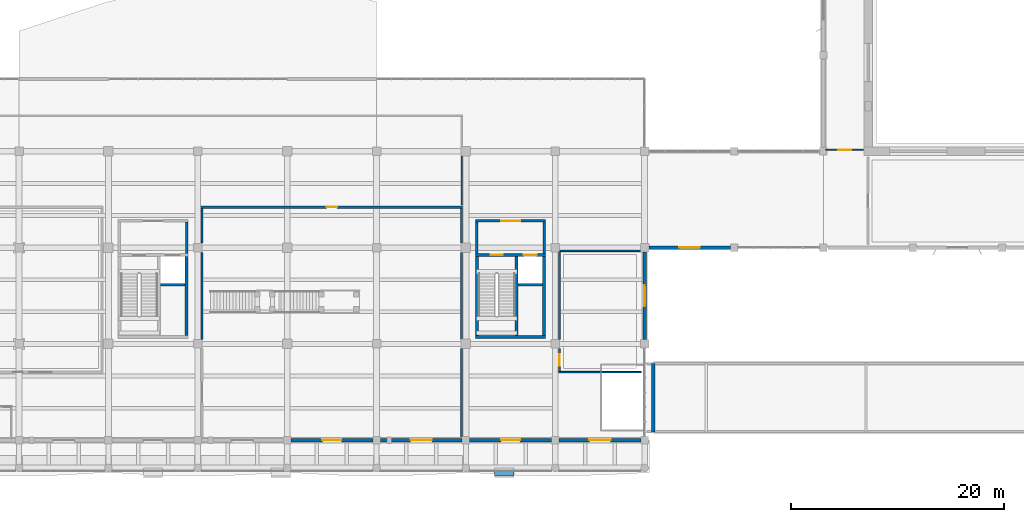
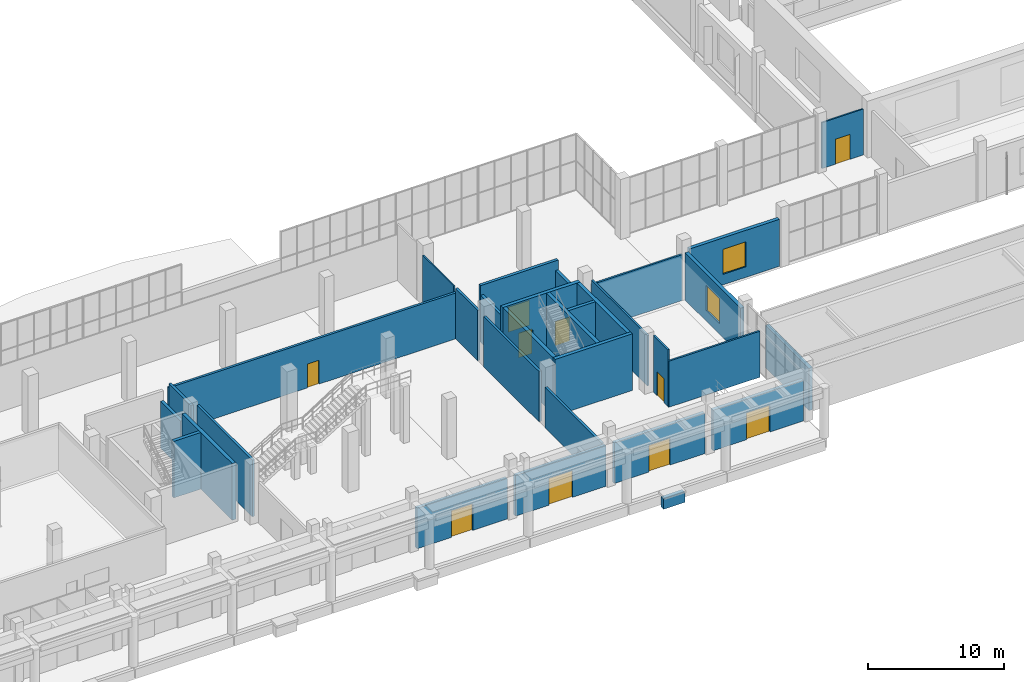
# One storey, part 78 of 91: 32 walls, 10 doors, 2 windows, 12 openings.
"""IFC4 building model written with IfcOpenShell, lengths in metres."""

from ifc_helpers import new_model, si_unit, direction, frame, frame_2d, origin, place, context, subcontext, project, spatial, rectangle, extrude, material, layer, layer_set, type_object, element, fill, save


model = new_model("IFC4")

# Units and contexts
model_context = context("Model", 3, precision=1e-05, world=origin(), true_north=direction((0.0, 1.0)))
body_context = subcontext(model_context, "Body", "Model", "MODEL_VIEW")
ifc_project = project(units=[si_unit("LENGTHUNIT", "METRE"), si_unit("AREAUNIT", "SQUARE_METRE"), si_unit("VOLUMEUNIT", "CUBIC_METRE"), si_unit("PLANEANGLEUNIT", "RADIAN"), si_unit("MASSUNIT", "GRAM", prefix="KILO")], contexts=[model_context])

# Site, building, storey
site_placement = place(None, origin())
site = spatial("IfcSite", under=ifc_project, at=site_placement, CompositionType="ELEMENT")
building_placement = place(site_placement, origin())
building = spatial("IfcBuilding", under=site, at=building_placement, Name="Khurvash Pelagic Aquarium", CompositionType="ELEMENT")
storey_placement = place(building_placement, origin())
storey = spatial("IfcBuildingStorey", under=building, at=storey_placement, Name="L00", CompositionType="ELEMENT", Elevation=0.0)

# Wall, opening, door
ifc_material_1 = material(Name="Precast concrete C40/50", Category="concrete")
ifc_layer_1 = layer(ifc_material_1, 0.300048828125)
ifc_layer_set_1 = layer_set([ifc_layer_1], Name="Precast concrete C40/50")
wall_type_1 = type_object("IfcWallType", Name="EW-300", PredefinedType="STANDARD", material=ifc_layer_set_1)
wall_1_placement = place(storey_placement, frame((75.955078125, 2.60009765625, 0.0), z_axis=(0.0, 0.0, 1.0), x_axis=(1.0, 0.0, 0.0)))
wall_1 = element("IfcWall", 1, at=wall_1_placement, inside=storey, type_object=wall_type_1, Name="L00 Exterior Architectural Facade Wall EW-300 0010", PredefinedType="STANDARD", context=body_context, shape_type="SweptSolid", body=[
    extrude(rectangle(XDim=7.68994140625, YDim=0.300048828125, at=frame_2d((3.844970703125, 0.0))), origin(), (0.0, 0.0, 1.0), 3.64990234375),
])
opening_1_placement = place(wall_1_placement, frame((2.945068359375, 0.0, 0.0)))
opening_1 = element("IfcOpeningElement", 2, at=opening_1_placement, cuts=wall_1, Name="Opening ED-01", PredefinedType="OPENING", context=body_context, shape_type="SweptSolid", body=[
    extrude(rectangle(XDim=1.800048828125, YDim=2.39990234375, at=frame_2d((0.89990234375, 1.199951171875))), frame((0.0, 0.16015625, 0.0), z_axis=(0.0, -1.0, 0.0), x_axis=(1.0, 0.0, 0.0)), (0.0, 0.0, 1.0), 0.320068359375),
])
ifc_material_2 = material(Name="Thermally broken glazed aluminium", Category="aluminium")
door_type_1 = type_object("IfcDoorType", Name="ED-01", OperationType="DOUBLE_DOOR_SINGLE_SWING", PredefinedType="DOOR", material=ifc_material_2)
door_1_placement = place(opening_1_placement, frame((1.800048828125, 0.0, 0.0), z_axis=(0.0, 0.0, 1.0), x_axis=(-1.0, 0.0, 0.0)))
door_1 = element("IfcDoor", 3, at=door_1_placement, inside=storey, type_object=door_type_1, Name="DR-0050", OperationType="DOUBLE_DOOR_SINGLE_SWING", OverallHeight=2.39990234375, OverallWidth=1.800048828125, PredefinedType="DOOR", context=body_context, shape_type="SweptSolid", body=[
    extrude(rectangle(XDim=1.800048828125, YDim=2.39990234375, at=frame_2d((0.89990234375, 1.199951171875))), frame((0.0, 0.02490234375, 0.0), z_axis=(0.0, -1.0, 0.0), x_axis=(1.0, 0.0, 0.0)), (0.0, 0.0, 1.0), 0.050048828125),
])
fill(opening_1, door_1)

wall_2_placement = place(storey_placement, frame((84.35498046875, 2.60009765625, 0.0), z_axis=(0.0, 0.0, 1.0), x_axis=(1.0, 0.0, 0.0)))
wall_2 = element("IfcWall", 4, at=wall_2_placement, inside=storey, type_object=wall_type_1, Name="L00 Exterior Architectural Facade Wall EW-300 0011", PredefinedType="STANDARD", context=body_context, shape_type="SweptSolid", body=[
    extrude(rectangle(XDim=7.68994140625, YDim=0.300048828125, at=frame_2d((3.844970703125, 0.0))), origin(), (0.0, 0.0, 1.0), 3.64990234375),
])
opening_2_placement = place(wall_2_placement, frame((2.844970703125, 0.0, 0.0)))
opening_2 = element("IfcOpeningElement", 5, at=opening_2_placement, cuts=wall_2, Name="Opening ED-02", PredefinedType="OPENING", context=body_context, shape_type="SweptSolid", body=[
    extrude(rectangle(XDim=2.0, YDim=2.39990234375, at=frame_2d((1.0, 1.199951171875))), frame((0.0, 0.16015625, 0.0), z_axis=(0.0, -1.0, 0.0), x_axis=(1.0, 0.0, 0.0)), (0.0, 0.0, 1.0), 0.320068359375),
])
door_type_2 = type_object("IfcDoorType", Name="ED-02", OperationType="DOUBLE_DOOR_SINGLE_SWING", PredefinedType="DOOR", material=ifc_material_2)
door_2_placement = place(opening_2_placement, frame((2.0, 0.0, 0.0), z_axis=(0.0, 0.0, 1.0), x_axis=(-1.0, 0.0, 0.0)))
door_2 = element("IfcDoor", 6, at=door_2_placement, inside=storey, type_object=door_type_2, Name="DR-0051", OperationType="DOUBLE_DOOR_SINGLE_SWING", OverallHeight=2.39990234375, OverallWidth=2.0, PredefinedType="DOOR", context=body_context, shape_type="SweptSolid", body=[
    extrude(rectangle(XDim=2.0, YDim=2.39990234375, at=frame_2d((1.0, 1.199951171875))), frame((0.0, 0.02490234375, 0.0), z_axis=(0.0, -1.0, 0.0), x_axis=(1.0, 0.0, 0.0)), (0.0, 0.0, 1.0), 0.050048828125),
])
fill(opening_2, door_2)

wall_3_placement = place(storey_placement, frame((92.7548828125, 2.60009765625, 0.0), z_axis=(0.0, 0.0, 1.0), x_axis=(1.0, 0.0, 0.0)))
wall_3 = element("IfcWall", 7, at=wall_3_placement, inside=storey, type_object=wall_type_1, Name="L00 Exterior Architectural Facade Wall EW-300 0012", PredefinedType="STANDARD", context=body_context, shape_type="SweptSolid", body=[
    extrude(rectangle(XDim=7.690185546875, YDim=0.300048828125, at=frame_2d((3.84521484375, 0.0))), origin(), (0.0, 0.0, 1.0), 3.64990234375),
])
opening_3_placement = place(wall_3_placement, frame((2.945068359375, 0.0, 0.0)))
opening_3 = element("IfcOpeningElement", 8, at=opening_3_placement, cuts=wall_3, Name="Opening ED-01", PredefinedType="OPENING", context=body_context, shape_type="SweptSolid", body=[
    extrude(rectangle(XDim=1.800048828125, YDim=2.39990234375, at=frame_2d((0.89990234375, 1.199951171875))), frame((0.0, 0.16015625, 0.0), z_axis=(0.0, -1.0, 0.0), x_axis=(1.0, 0.0, 0.0)), (0.0, 0.0, 1.0), 0.320068359375),
])
door_3_placement = place(opening_3_placement, frame((1.800048828125, 0.0, 0.0), z_axis=(0.0, 0.0, 1.0), x_axis=(-1.0, 0.0, 0.0)))
door_3 = element("IfcDoor", 9, at=door_3_placement, inside=storey, type_object=door_type_1, Name="DR-0052", OperationType="DOUBLE_DOOR_SINGLE_SWING", OverallHeight=2.39990234375, OverallWidth=1.800048828125, PredefinedType="DOOR", context=body_context, shape_type="SweptSolid", body=[
    extrude(rectangle(XDim=1.800048828125, YDim=2.39990234375, at=frame_2d((0.89990234375, 1.199951171875))), frame((0.0, 0.02490234375, 0.0), z_axis=(0.0, -1.0, 0.0), x_axis=(1.0, 0.0, 0.0)), (0.0, 0.0, 1.0), 0.050048828125),
])
fill(opening_3, door_3)

wall_4_placement = place(storey_placement, frame((101.155029296875, 2.60009765625, 0.0), z_axis=(0.0, 0.0, 1.0), x_axis=(1.0, 0.0, 0.0)))
wall_4 = element("IfcWall", 10, at=wall_4_placement, inside=storey, type_object=wall_type_1, Name="L00 Exterior Architectural Facade Wall EW-300 0013", PredefinedType="STANDARD", context=body_context, shape_type="SweptSolid", body=[
    extrude(rectangle(XDim=7.68994140625, YDim=0.300048828125, at=frame_2d((3.844970703125, 0.0))), origin(), (0.0, 0.0, 1.0), 3.64990234375),
])
opening_4_placement = place(wall_4_placement, frame((2.844970703125, 0.0, 0.0)))
opening_4 = element("IfcOpeningElement", 11, at=opening_4_placement, cuts=wall_4, Name="Opening ED-02", PredefinedType="OPENING", context=body_context, shape_type="SweptSolid", body=[
    extrude(rectangle(XDim=2.0, YDim=2.39990234375, at=frame_2d((1.0, 1.199951171875))), frame((0.0, 0.16015625, 0.0), z_axis=(0.0, -1.0, 0.0), x_axis=(1.0, 0.0, 0.0)), (0.0, 0.0, 1.0), 0.320068359375),
])
door_4_placement = place(opening_4_placement, frame((2.0, 0.0, 0.0), z_axis=(0.0, 0.0, 1.0), x_axis=(-1.0, 0.0, 0.0)))
door_4 = element("IfcDoor", 12, at=door_4_placement, inside=storey, type_object=door_type_2, Name="DR-0053", OperationType="DOUBLE_DOOR_SINGLE_SWING", OverallHeight=2.39990234375, OverallWidth=2.0, PredefinedType="DOOR", context=body_context, shape_type="SweptSolid", body=[
    extrude(rectangle(XDim=2.0, YDim=2.39990234375, at=frame_2d((1.0, 1.199951171875))), frame((0.0, 0.02490234375, 0.0), z_axis=(0.0, -1.0, 0.0), x_axis=(1.0, 0.0, 0.0)), (0.0, 0.0, 1.0), 0.050048828125),
])
fill(opening_4, door_4)

# Wall, opening, window
wall_5_placement = place(storey_placement, frame((109.199951171875, 12.054931640625, 0.0), z_axis=(0.0, 0.0, 1.0), x_axis=(0.0, 1.0, 0.0)))
wall_5 = element("IfcWall", 13, at=wall_5_placement, inside=storey, type_object=wall_type_1, Name="L00 Exterior Architectural Facade Wall EW-300 0014", PredefinedType="STANDARD", context=body_context, shape_type="SweptSolid", body=[
    extrude(rectangle(XDim=8.239990234375, YDim=0.300048828125, at=frame_2d((4.1201171875, 0.0))), origin(), (0.0, 0.0, 1.0), 4.239990234375),
])
opening_5_placement = place(wall_5_placement, frame((3.14501953125, 0.0, 0.949951171875)))
opening_5 = element("IfcOpeningElement", 14, at=opening_5_placement, cuts=wall_5, Name="Opening WN-16", PredefinedType="OPENING", context=body_context, shape_type="SweptSolid", body=[
    extrude(rectangle(XDim=1.949951171875, YDim=2.25, at=frame_2d((0.97509765625, 1.125))), frame((0.0, 0.16015625, 0.0), z_axis=(0.0, -1.0, 0.0), x_axis=(1.0, 0.0, 0.0)), (0.0, 0.0, 1.0), 0.320068359375),
])
ifc_material_3 = material(Name="Thermally broken aluminium and low-E glass", Category="aluminium")
window_type = type_object("IfcWindowType", Name="WN-16", PartitioningType="SINGLE_PANEL", PredefinedType="WINDOW", material=ifc_material_3)
window_1_placement = place(opening_5_placement, origin())
window_1 = element("IfcWindow", 15, at=window_1_placement, inside=storey, type_object=window_type, Name="L00 Facade Window WN-16 0002", OverallHeight=2.25, OverallWidth=1.949951171875, PartitioningType="SINGLE_PANEL", PredefinedType="WINDOW", context=body_context, shape_type="SweptSolid", body=[
    extrude(rectangle(XDim=1.949951171875, YDim=2.25, at=frame_2d((0.97509765625, 1.125))), frame((0.0, 0.030029296875, 0.0), z_axis=(0.0, -1.0, 0.0), x_axis=(1.0, 0.0, 0.0)), (0.0, 0.0, 1.0), 0.06005859375),
])
fill(opening_5, window_1)

wall_6_placement = place(storey_placement, frame((109.60498046875, 20.699951171875, 0.0), z_axis=(0.0, 0.0, 1.0), x_axis=(1.0, 0.0, 0.0)))
wall_6 = element("IfcWall", 16, at=wall_6_placement, inside=storey, type_object=wall_type_1, Name="L00 Exterior Architectural Facade Wall EW-300 0015", PredefinedType="STANDARD", context=body_context, shape_type="SweptSolid", body=[
    extrude(rectangle(XDim=7.64013671875, YDim=0.300048828125, at=frame_2d((3.820068359375, 0.0))), origin(), (0.0, 0.0, 1.0), 4.22998046875),
])
opening_6_placement = place(wall_6_placement, frame((2.844970703125, 0.0, 0.949951171875)))
opening_6 = element("IfcOpeningElement", 17, at=opening_6_placement, cuts=wall_6, Name="Opening WN-16", PredefinedType="OPENING", context=body_context, shape_type="SweptSolid", body=[
    extrude(rectangle(XDim=1.949951171875, YDim=2.25, at=frame_2d((0.97509765625, 1.125))), frame((0.0, 0.16015625, 0.0), z_axis=(0.0, -1.0, 0.0), x_axis=(1.0, 0.0, 0.0)), (0.0, 0.0, 1.0), 0.320068359375),
])
window_2_placement = place(opening_6_placement, origin())
window_2 = element("IfcWindow", 18, at=window_2_placement, inside=storey, type_object=window_type, Name="L00 Facade Window WN-16 0003", OverallHeight=2.25, OverallWidth=1.949951171875, PartitioningType="SINGLE_PANEL", PredefinedType="WINDOW", context=body_context, shape_type="SweptSolid", body=[
    extrude(rectangle(XDim=1.949951171875, YDim=2.25, at=frame_2d((0.97509765625, 1.125))), frame((0.0, 0.030029296875, 0.0), z_axis=(0.0, -1.0, 0.0), x_axis=(1.0, 0.0, 0.0)), (0.0, 0.0, 1.0), 0.06005859375),
])
fill(opening_6, window_2)

# Wall
ifc_material_4 = material(Name="Ceramic-tiled wet-room partition", Category="masonry")
ifc_layer_2 = layer(ifc_material_4, 0.110107421875)
ifc_layer_set_2 = layer_set([ifc_layer_2], Name="Ceramic-tiled wet-room partition")
wall_type_2 = type_object("IfcWallType", Name="PW-110", PredefinedType="PARTITIONING", material=ifc_layer_set_2)
wall_7_placement = place(storey_placement, frame((92.0, 24.7548828125, 0.0), z_axis=(0.0, 0.0, 1.0), x_axis=(0.0, 1.0, 0.0)))
element("IfcWall", 19, at=wall_7_placement, inside=storey, type_object=wall_type_2, Name="L00 Sehan Courtyard Public Cafeteria Partition Wall PW-110", PredefinedType="PARTITIONING", context=body_context, shape_type="SweptSolid", body=[
    extrude(rectangle(XDim=4.55517578125, YDim=0.110107421875, at=frame_2d((2.277587890625, 0.0))), origin(), (0.0, 0.0, 1.0), 4.5400390625),
])

# Wall, opening, door
ifc_material_5 = material(Name="Moisture-resistant gypsum and steel stud", Category="steel")
ifc_layer_3 = layer(ifc_material_5, 0.125)
ifc_layer_set_3 = layer_set([ifc_layer_3], Name="Moisture-resistant gypsum and steel stud")
wall_type_3 = type_object("IfcWallType", Name="PW-125", PredefinedType="PARTITIONING", material=ifc_layer_set_3)
wall_8_placement = place(storey_placement, frame((126.237060546875, 29.89990234375, 0.0), z_axis=(0.0, 0.0, 1.0), x_axis=(1.0, 0.0, 0.0)))
wall_8 = element("IfcWall", 20, at=wall_8_placement, inside=storey, type_object=wall_type_3, Name="L00 Ocean Tank West Viewing Concourse Partition Wall PW-125", PredefinedType="PARTITIONING", context=body_context, shape_type="SweptSolid", body=[
    extrude(rectangle(XDim=3.52490234375, YDim=0.125, at=frame_2d((1.762451171875, 0.0))), origin(), (0.0, 0.0, 1.0), 4.139892578125),
])
opening_7_placement = place(wall_8_placement, frame((1.14306640625, 0.0, 0.0)))
opening_7 = element("IfcOpeningElement", 21, at=opening_7_placement, cuts=wall_8, Name="Opening ID-06", PredefinedType="OPENING", context=body_context, shape_type="SweptSolid", body=[
    extrude(rectangle(XDim=1.239990234375, YDim=2.25, at=frame_2d((0.6201171875, 1.125))), frame((0.0, 0.072509765625, 0.0), z_axis=(0.0, -1.0, 0.0), x_axis=(1.0, 0.0, 0.0)), (0.0, 0.0, 1.0), 0.14501953125),
])
ifc_material_6 = material(Name="FRP biosecure quarantine door", Category="wood")
door_type_3 = type_object("IfcDoorType", Name="ID-06", OperationType="NOTDEFINED", PredefinedType="DOOR", material=ifc_material_6)
door_5_placement = place(opening_7_placement, origin())
door_5 = element("IfcDoor", 22, at=door_5_placement, inside=storey, type_object=door_type_3, Name="DR-0073", OperationType="SINGLE_SWING_RIGHT", OverallHeight=2.25, OverallWidth=1.239990234375, PredefinedType="DOOR", context=body_context, shape_type="SweptSolid", body=[
    extrude(rectangle(XDim=1.239990234375, YDim=2.25, at=frame_2d((0.6201171875, 1.125))), frame((0.0, 0.02490234375, 0.0), z_axis=(0.0, -1.0, 0.0), x_axis=(1.0, 0.0, 0.0)), (0.0, 0.0, 1.0), 0.050048828125),
])
fill(opening_7, door_5)

ifc_material_7 = material(Name="AAC blockwork", Category="masonry")
ifc_layer_4 = layer(ifc_material_7, 0.155029296875)
ifc_layer_set_4 = layer_set([ifc_layer_4], Name="AAC blockwork")
wall_type_4 = type_object("IfcWallType", Name="PW-155", PredefinedType="PARTITIONING", material=ifc_layer_set_4)
wall_9_placement = place(storey_placement, frame((101.199951171875, 9.077880859375, 0.0), z_axis=(0.0, 0.0, 1.0), x_axis=(0.0, 1.0, 0.0)))
wall_9 = element("IfcWall", 23, at=wall_9_placement, inside=storey, type_object=wall_type_4, Name="L00 Cafeteria Preparation Kitchen Partition Wall PW-155", PredefinedType="PARTITIONING", context=body_context, shape_type="SweptSolid", body=[
    extrude(rectangle(XDim=2.132080078125, YDim=0.155029296875, at=frame_2d((1.06591796875, 0.0))), origin(), (0.0, 0.0, 1.0), 5.090087890625),
])
opening_8_placement = place(wall_9_placement, frame((0.535888671875, 0.0, 0.0)))
opening_8 = element("IfcOpeningElement", 24, at=opening_8_placement, cuts=wall_9, Name="Opening ID-03", PredefinedType="OPENING", context=body_context, shape_type="SweptSolid", body=[
    extrude(rectangle(XDim=1.06005859375, YDim=2.14990234375, at=frame_2d((0.530029296875, 1.074951171875))), frame((0.0, 0.08740234375, 0.0), z_axis=(0.0, -1.0, 0.0), x_axis=(1.0, 0.0, 0.0)), (0.0, 0.0, 1.0), 0.175048828125),
])
ifc_material_8 = material(Name="High-pressure laminate solid-core timber", Category="wood")
door_type_4 = type_object("IfcDoorType", Name="ID-03", OperationType="NOTDEFINED", PredefinedType="DOOR", material=ifc_material_8)
door_6_placement = place(opening_8_placement, frame((1.06005859375, 0.0, 0.0), z_axis=(0.0, 0.0, 1.0), x_axis=(-1.0, 0.0, 0.0)))
door_6 = element("IfcDoor", 25, at=door_6_placement, inside=storey, type_object=door_type_4, Name="DR-0070", OperationType="SINGLE_SWING_LEFT", OverallHeight=2.14990234375, OverallWidth=1.06005859375, PredefinedType="DOOR", context=body_context, shape_type="SweptSolid", body=[
    extrude(rectangle(XDim=1.06005859375, YDim=2.14990234375, at=frame_2d((0.530029296875, 1.074951171875))), frame((0.0, 0.02490234375, 0.0), z_axis=(0.0, -1.0, 0.0), x_axis=(1.0, 0.0, 0.0)), (0.0, 0.0, 1.0), 0.050048828125),
])
fill(opening_8, door_6)

# Walls
wall_10_placement = place(storey_placement, frame((101.199951171875, 12.090087890625, 0.0), z_axis=(0.0, 0.0, 1.0), x_axis=(0.0, 1.0, 0.0)))
element("IfcWall", 26, at=wall_10_placement, inside=storey, type_object=wall_type_4, Name="L00 Cafeteria Preparation Kitchen Partition Wall PW-155", PredefinedType="PARTITIONING", context=body_context, shape_type="SweptSolid", body=[
    extrude(rectangle(XDim=8.23193359375, YDim=0.155029296875, at=frame_2d((4.115966796875, 0.0))), origin(), (0.0, 0.0, 1.0), 4.5400390625),
])
wall_11_placement = place(storey_placement, frame((101.123046875, 20.39990234375, 0.0), z_axis=(0.0, 0.0, 1.0), x_axis=(1.0, 0.0, 0.0)))
element("IfcWall", 27, at=wall_11_placement, inside=storey, type_object=wall_type_4, Name="L00 Cafeteria Preparation Kitchen Partition Wall PW-155", PredefinedType="PARTITIONING", context=body_context, shape_type="SweptSolid", body=[
    extrude(rectangle(XDim=7.75390625, YDim=0.155029296875, at=frame_2d((3.876953125, 0.0))), origin(), (0.0, 0.0, 1.0), 4.1298828125),
])
wall_12_placement = place(storey_placement, frame((101.123046875, 9.0, 0.0), z_axis=(0.0, 0.0, 1.0), x_axis=(1.0, 0.0, 0.0)))
element("IfcWall", 28, at=wall_12_placement, inside=storey, type_object=wall_type_4, Name="L00 Cafeteria Preparation Kitchen Partition Wall PW-155", PredefinedType="PARTITIONING", context=body_context, shape_type="SweptSolid", body=[
    extrude(rectangle(XDim=7.75390625, YDim=0.155029296875, at=frame_2d((3.876953125, 0.0))), origin(), (0.0, 0.0, 1.0), 4.139892578125),
])
ifc_layer_5 = layer(ifc_material_7, 0.199951171875)
ifc_layer_set_5 = layer_set([ifc_layer_5], Name="AAC blockwork")
wall_type_5 = type_object("IfcWallType", Name="PW-200", PredefinedType="PARTITIONING", material=ifc_layer_set_5)
wall_13_placement = place(storey_placement, frame((67.60009765625, 12.090087890625, 0.0), z_axis=(0.0, 0.0, 1.0), x_axis=(0.0, 1.0, 0.0)))
element("IfcWall", 29, at=wall_13_placement, inside=storey, type_object=wall_type_5, Name="L00 Grand Sehan Entrance Foyer Partition Wall PW-200", PredefinedType="PARTITIONING", context=body_context, shape_type="SweptSolid", body=[
    extrude(rectangle(XDim=8.169921875, YDim=0.199951171875, at=frame_2d((4.0849609375, 0.0))), origin(), (0.0, 0.0, 1.0), 5.090087890625),
])
wall_14_placement = place(storey_placement, frame((67.60009765625, 21.139892578125, 0.0), z_axis=(0.0, 0.0, 1.0), x_axis=(0.0, 1.0, 0.0)))
element("IfcWall", 30, at=wall_14_placement, inside=storey, type_object=wall_type_5, Name="L00 Grand Sehan Entrance Foyer Partition Wall PW-200", PredefinedType="PARTITIONING", context=body_context, shape_type="SweptSolid", body=[
    extrude(rectangle(XDim=3.260009765625, YDim=0.199951171875, at=frame_2d((1.6298828125, 0.0))), origin(), (0.0, 0.0, 1.0), 4.5400390625),
])

# Wall, opening, door
wall_15_placement = place(storey_placement, frame((67.5, 24.5, 0.0), z_axis=(0.0, 0.0, 1.0), x_axis=(1.0, 0.0, 0.0)))
wall_15 = element("IfcWall", 31, at=wall_15_placement, inside=storey, type_object=wall_type_5, Name="L00 Grand Sehan Entrance Foyer Partition Wall PW-200", PredefinedType="PARTITIONING", context=body_context, shape_type="SweptSolid", body=[
    extrude(rectangle(XDim=24.60009765625, YDim=0.199951171875, at=frame_2d((12.300048828125, 0.0))), origin(), (0.0, 0.0, 1.0), 4.1298828125),
])
opening_9_placement = place(wall_15_placement, frame((11.800048828125, 0.0, 0.0)))
opening_9 = element("IfcOpeningElement", 32, at=opening_9_placement, cuts=wall_15, Name="Opening ID-02", PredefinedType="OPENING", context=body_context, shape_type="SweptSolid", body=[
    extrude(rectangle(XDim=1.0, YDim=2.14990234375, at=frame_2d((0.5, 1.074951171875))), frame((0.0, 0.10986328125, 0.0), z_axis=(0.0, -1.0, 0.0), x_axis=(1.0, 0.0, 0.0)), (0.0, 0.0, 1.0), 0.219970703125),
])
door_type_5 = type_object("IfcDoorType", Name="ID-02", OperationType="NOTDEFINED", PredefinedType="DOOR", material=ifc_material_8)
door_7_placement = place(opening_9_placement, origin())
door_7 = element("IfcDoor", 33, at=door_7_placement, inside=storey, type_object=door_type_5, Name="DR-0069", OperationType="SINGLE_SWING_RIGHT", OverallHeight=2.14990234375, OverallWidth=1.0, PredefinedType="DOOR", context=body_context, shape_type="SweptSolid", body=[
    extrude(rectangle(XDim=1.0, YDim=2.14990234375, at=frame_2d((0.5, 1.074951171875))), frame((0.0, 0.02490234375, 0.0), z_axis=(0.0, -1.0, 0.0), x_axis=(1.0, 0.0, 0.0)), (0.0, 0.0, 1.0), 0.050048828125),
])
fill(opening_9, door_7)

# Walls
wall_16_placement = place(storey_placement, frame((92.0, 2.89990234375, 0.0), z_axis=(0.0, 0.0, 1.0), x_axis=(0.0, 1.0, 0.0)))
element("IfcWall", 34, at=wall_16_placement, inside=storey, type_object=wall_type_5, Name="L00 Grand Sehan Entrance Foyer Partition Wall PW-200", PredefinedType="PARTITIONING", context=body_context, shape_type="SweptSolid", body=[
    extrude(rectangle(XDim=8.31005859375, YDim=0.199951171875, at=frame_2d((4.155029296875, 0.0))), origin(), (0.0, 0.0, 1.0), 3.64990234375),
])
wall_17_placement = place(storey_placement, frame((92.0, 12.090087890625, 0.0), z_axis=(0.0, 0.0, 1.0), x_axis=(0.0, 1.0, 0.0)))
element("IfcWall", 35, at=wall_17_placement, inside=storey, type_object=wall_type_5, Name="L00 Grand Sehan Entrance Foyer Partition Wall PW-200", PredefinedType="PARTITIONING", context=body_context, shape_type="SweptSolid", body=[
    extrude(rectangle(XDim=8.169921875, YDim=0.199951171875, at=frame_2d((4.0849609375, 0.0))), origin(), (0.0, 0.0, 1.0), 4.5400390625),
])
wall_18_placement = place(storey_placement, frame((92.0, 21.139892578125, 0.0), z_axis=(0.0, 0.0, 1.0), x_axis=(0.0, 1.0, 0.0)))
element("IfcWall", 36, at=wall_18_placement, inside=storey, type_object=wall_type_5, Name="L00 Grand Sehan Entrance Foyer Partition Wall PW-200", PredefinedType="PARTITIONING", context=body_context, shape_type="SweptSolid", body=[
    extrude(rectangle(XDim=3.260009765625, YDim=0.199951171875, at=frame_2d((1.6298828125, 0.0))), origin(), (0.0, 0.0, 1.0), 4.5400390625),
])
ifc_layer_6 = layer(ifc_material_7, 0.25)
ifc_layer_set_6 = layer_set([ifc_layer_6], Name="AAC blockwork")
wall_type_6 = type_object("IfcWallType", Name="PW-250", PredefinedType="PARTITIONING", material=ifc_layer_set_6)
wall_19_placement = place(storey_placement, frame((66.175048828125, 20.14990234375, 0.0), z_axis=(0.0, 0.0, 1.0), x_axis=(0.0, 1.0, 0.0)))
element("IfcWall", 37, at=wall_19_placement, inside=storey, type_object=wall_type_6, Name="L00 Core C2 Lobby East Fire Wall PW-250", PredefinedType="PARTITIONING", context=body_context, shape_type="SweptSolid", body=[
    extrude(rectangle(XDim=2.9501953125, YDim=0.25, at=frame_2d((1.47509765625, 0.0))), origin(), (0.0, 0.0, 1.0), 4.22998046875),
])

# Wall, opening, door
wall_20_placement = place(storey_placement, frame((93.300048828125, 23.22509765625, 0.0), z_axis=(0.0, 0.0, 1.0), x_axis=(1.0, 0.0, 0.0)))
wall_20 = element("IfcWall", 38, at=wall_20_placement, inside=storey, type_object=wall_type_6, Name="L00 Core C3 Lobby Front Fire Wall PW-250", PredefinedType="PARTITIONING", context=body_context, shape_type="SweptSolid", body=[
    extrude(rectangle(XDim=6.599853515625, YDim=0.25, at=frame_2d((3.2998046875, 0.0))), origin(), (0.0, 0.0, 1.0), 5.090087890625),
])
opening_10_placement = place(wall_20_placement, frame((2.39990234375, 0.0, 0.0)))
opening_10 = element("IfcOpeningElement", 39, at=opening_10_placement, cuts=wall_20, Name="Opening FD-02", PredefinedType="OPENING", context=body_context, shape_type="SweptSolid", body=[
    extrude(rectangle(XDim=1.800048828125, YDim=2.25, at=frame_2d((0.89990234375, 1.125))), frame((0.0, 0.135009765625, 0.0), z_axis=(0.0, -1.0, 0.0), x_axis=(1.0, 0.0, 0.0)), (0.0, 0.0, 1.0), 0.27001953125),
])
ifc_material_9 = material(Name="Galvanised steel double fire door", Category="steel")
door_type_6 = type_object("IfcDoorType", Name="FD-02", OperationType="DOUBLE_DOOR_SINGLE_SWING", PredefinedType="DOOR", material=ifc_material_9)
door_8_placement = place(opening_10_placement, origin())
door_8 = element("IfcDoor", 40, at=door_8_placement, inside=storey, type_object=door_type_6, Name="DR-0086", OperationType="DOUBLE_DOOR_SINGLE_SWING", OverallHeight=2.25, OverallWidth=1.800048828125, PredefinedType="DOOR", context=body_context, shape_type="SweptSolid", body=[
    extrude(rectangle(XDim=1.800048828125, YDim=2.25, at=frame_2d((0.89990234375, 1.125))), frame((0.0, 0.02490234375, 0.0), z_axis=(0.0, -1.0, 0.0), x_axis=(1.0, 0.0, 0.0)), (0.0, 0.0, 1.0), 0.050048828125),
])
fill(opening_10, door_8)

# Walls
for number, where, z_axis, x_axis, name in (
    (41, (93.425048828125, 20.14990234375, 0.0), (0.0, 0.0, 1.0), (0.0, 1.0, 0.0), "L00 Core C3 Lobby West Fire Wall PW-250"),
    (42, (99.77490234375, 20.14990234375, 0.0), (0.0, 0.0, 1.0), (0.0, 1.0, 0.0), "L00 Core C3 Lobby East Fire Wall PW-250"),
):
    element("IfcWall", number, at=place(storey_placement, frame(where, z_axis=z_axis, x_axis=x_axis)), inside=storey, type_object=wall_type_6, Name=name, PredefinedType="PARTITIONING", context=body_context, shape_type="SweptSolid", body=[
        extrude(rectangle(XDim=2.9501953125, YDim=0.25, at=frame_2d((1.47509765625, 0.0))), origin(), (0.0, 0.0, 1.0), 4.22998046875),
    ])
ifc_material_10 = material(Name="Concrete C40/50", Category="concrete")
ifc_layer_7 = layer(ifc_material_10, 0.27490234375)
ifc_layer_set_7 = layer_set([ifc_layer_7], Name="Concrete C40/50")
wall_type_7 = type_object("IfcWallType", Name="SW-275", PredefinedType="SHEAR", material=ifc_layer_set_7)
for number, where, z_axis, x_axis, name in (
    (43, (63.699951171875, 17.212890625, 0.0), (0.0, 0.0, 1.0), (1.0, 0.0, 0.0), "L00 Lift PL-01 Shaft Rear Shear Wall SW-275"),
    (44, (97.300048828125, 17.212890625, 0.0), (0.0, 0.0, 1.0), (1.0, 0.0, 0.0), "L00 Lift FL-02 Shaft Rear Shear Wall SW-275"),
):
    element("IfcWall", number, at=place(storey_placement, frame(where, z_axis=z_axis, x_axis=x_axis)), inside=storey, type_object=wall_type_7, Name=name, PredefinedType="SHEAR", context=body_context, shape_type="SweptSolid", body=[
        extrude(rectangle(XDim=2.300048828125, YDim=0.27490234375, at=frame_2d((1.14990234375, 0.0))), origin(), (0.0, 0.0, 1.0), 5.090087890625),
    ])
ifc_layer_8 = layer(ifc_material_10, 0.300048828125)
ifc_layer_set_8 = layer_set([ifc_layer_8], Name="Concrete C40/50")
wall_type_8 = type_object("IfcWallType", Name="SW-300", PredefinedType="SHEAR", material=ifc_layer_set_8)
wall_21_placement = place(storey_placement, frame((66.14990234375, 12.449951171875, 0.0), z_axis=(0.0, 0.0, 1.0), x_axis=(0.0, 1.0, 0.0)))
element("IfcWall", 45, at=wall_21_placement, inside=storey, type_object=wall_type_8, Name="L00 Core C2 East Shear Wall SW-300", PredefinedType="SHEAR", context=body_context, shape_type="SweptSolid", body=[
    extrude(rectangle(XDim=7.400146484375, YDim=0.300048828125, at=frame_2d((3.7001953125, 0.0))), origin(), (0.0, 0.0, 1.0), 5.090087890625),
])
wall_22_placement = place(storey_placement, frame((93.300048828125, 12.300048828125, 0.0), z_axis=(0.0, 0.0, 1.0), x_axis=(1.0, 0.0, 0.0)))
element("IfcWall", 46, at=wall_22_placement, inside=storey, type_object=wall_type_8, Name="L00 Core C3 South Shear Wall SW-300", PredefinedType="SHEAR", context=body_context, shape_type="SweptSolid", body=[
    extrude(rectangle(XDim=6.599853515625, YDim=0.300048828125, at=frame_2d((3.2998046875, 0.0))), origin(), (0.0, 0.0, 1.0), 5.090087890625),
])

# Wall, openings, doors
wall_23_placement = place(storey_placement, frame((93.300048828125, 20.0, 0.0), z_axis=(0.0, 0.0, 1.0), x_axis=(1.0, 0.0, 0.0)))
wall_23 = element("IfcWall", 47, at=wall_23_placement, inside=storey, type_object=wall_type_8, Name="L00 Core C3 North Shear Wall SW-300", PredefinedType="SHEAR", context=body_context, shape_type="SweptSolid", body=[
    extrude(rectangle(XDim=6.599853515625, YDim=0.300048828125, at=frame_2d((3.2998046875, 0.0))), origin(), (0.0, 0.0, 1.0), 5.090087890625),
])
opening_11_placement = place(wall_23_placement, frame((1.425048828125, 0.0, 0.0)))
opening_11 = element("IfcOpeningElement", 48, at=opening_11_placement, cuts=wall_23, Name="Opening FD-01", PredefinedType="OPENING", context=body_context, shape_type="SweptSolid", body=[
    extrude(rectangle(XDim=1.14990234375, YDim=2.199951171875, at=frame_2d((0.574951171875, 1.10009765625))), frame((0.0, 0.16015625, 0.0), z_axis=(0.0, -1.0, 0.0), x_axis=(1.0, 0.0, 0.0)), (0.0, 0.0, 1.0), 0.320068359375),
])
opening_12_placement = place(wall_23_placement, frame((4.550048828125, 0.0, 0.0)))
opening_12 = element("IfcOpeningElement", 49, at=opening_12_placement, cuts=wall_23, Name="Opening LD-01", PredefinedType="OPENING", context=body_context, shape_type="SweptSolid", body=[
    extrude(rectangle(XDim=1.199951171875, YDim=2.14990234375, at=frame_2d((0.60009765625, 1.074951171875))), frame((0.0, 0.16015625, 0.0), z_axis=(0.0, -1.0, 0.0), x_axis=(1.0, 0.0, 0.0)), (0.0, 0.0, 1.0), 0.320068359375),
])
ifc_material_11 = material(Name="Galvanised steel fire door", Category="steel")
door_type_7 = type_object("IfcDoorType", Name="FD-01", OperationType="NOTDEFINED", PredefinedType="DOOR", material=ifc_material_11)
door_9_placement = place(opening_11_placement, origin())
door_9 = element("IfcDoor", 50, at=door_9_placement, inside=storey, type_object=door_type_7, Name="DR-0034", OperationType="SINGLE_SWING_RIGHT", OverallHeight=2.199951171875, OverallWidth=1.14990234375, PredefinedType="DOOR", context=body_context, shape_type="SweptSolid", body=[
    extrude(rectangle(XDim=1.14990234375, YDim=2.199951171875, at=frame_2d((0.574951171875, 1.10009765625))), frame((0.0, 0.02490234375, 0.0), z_axis=(0.0, -1.0, 0.0), x_axis=(1.0, 0.0, 0.0)), (0.0, 0.0, 1.0), 0.050048828125),
])
fill(opening_11, door_9)
ifc_material_12 = material(Name="Brushed stainless steel 316 lift landing door", Category="steel")
door_type_8 = type_object("IfcDoorType", Name="LD-01", OperationType="DOUBLE_DOOR_SLIDING", PredefinedType="DOOR", material=ifc_material_12)
door_10_placement = place(opening_12_placement, origin())
door_10 = element("IfcDoor", 51, at=door_10_placement, inside=storey, type_object=door_type_8, Name="DR-0040", OperationType="DOUBLE_DOOR_SLIDING", OverallHeight=2.14990234375, OverallWidth=1.199951171875, PredefinedType="DOOR", context=body_context, shape_type="SweptSolid", body=[
    extrude(rectangle(XDim=1.199951171875, YDim=2.14990234375, at=frame_2d((0.60009765625, 1.074951171875))), frame((0.0, 0.02490234375, 0.0), z_axis=(0.0, -1.0, 0.0), x_axis=(1.0, 0.0, 0.0)), (0.0, 0.0, 1.0), 0.050048828125),
])
fill(opening_12, door_10)

# Walls
for number, where, z_axis, x_axis, name in (
    (52, (93.449951171875, 12.449951171875, 0.0), (0.0, 0.0, 1.0), (0.0, 1.0, 0.0), "L00 Core C3 West Shear Wall SW-300"),
    (53, (99.75, 12.449951171875, 0.0), (0.0, 0.0, 1.0), (0.0, 1.0, 0.0), "L00 Core C3 East Shear Wall SW-300"),
    (54, (97.14990234375, 12.449951171875, 0.0), (0.0, 0.0, 1.0), (0.0, 1.0, 0.0), "L00 Core C3 Divider Shear Wall SW-300"),
):
    element("IfcWall", number, at=place(storey_placement, frame(where, z_axis=z_axis, x_axis=x_axis)), inside=storey, type_object=wall_type_8, Name=name, PredefinedType="SHEAR", context=body_context, shape_type="SweptSolid", body=[
        extrude(rectangle(XDim=7.400146484375, YDim=0.300048828125, at=frame_2d((3.7001953125, 0.0))), origin(), (0.0, 0.0, 1.0), 5.090087890625),
    ])
ifc_layer_9 = layer(ifc_material_10, 0.31494140625)
ifc_layer_set_9 = layer_set([ifc_layer_9], Name="Concrete C40/50")
wall_type_9 = type_object("IfcWallType", Name="SW-315", PredefinedType="SHEAR", material=ifc_layer_set_9)
wall_24_placement = place(storey_placement, frame((110.010009765625, 3.3798828125, 0.0), z_axis=(0.0, 0.0, 1.0), x_axis=(0.0, 1.0, 0.0)))
element("IfcWall", 55, at=wall_24_placement, inside=storey, type_object=wall_type_9, Name="L00 Car Park Ramp West Headhouse End Wall", PredefinedType="SHEAR", context=body_context, shape_type="SweptSolid", body=[
    extrude(rectangle(XDim=6.440185546875, YDim=0.31494140625, at=frame_2d((3.22021484375, 0.0))), origin(), (0.0, 0.0, 1.0), 3.800048828125),
])
ifc_material_13 = material(Name="Water-retaining concrete C40/50", Category="concrete")
ifc_layer_10 = layer(ifc_material_13, 0.39990234375)
ifc_layer_set_10 = layer_set([ifc_layer_10], Name="Water-retaining concrete C40/50")
wall_type_10 = type_object("IfcWallType", Name="TW-400", PredefinedType="SOLIDWALL", material=ifc_layer_set_10)
wall_25_placement = place(storey_placement, frame((95.10009765625, -0.550048828125, -1.199951171875), z_axis=(0.0, 0.0, 1.0), x_axis=(1.0, 0.0, 0.0)))
element("IfcWall", 56, at=wall_25_placement, inside=storey, type_object=wall_type_10, Name="L00 Boulevard East Arcade Accessible Ramp Sleeper Plinth Wall TW-400", PredefinedType="SOLIDWALL", context=body_context, shape_type="SweptSolid", body=[
    extrude(rectangle(XDim=1.7998046875, YDim=0.39990234375, at=frame_2d((0.89990234375, 0.0))), origin(), (0.0, 0.0, 1.0), 0.925048828125),
])

save(model, "model.ifc")
